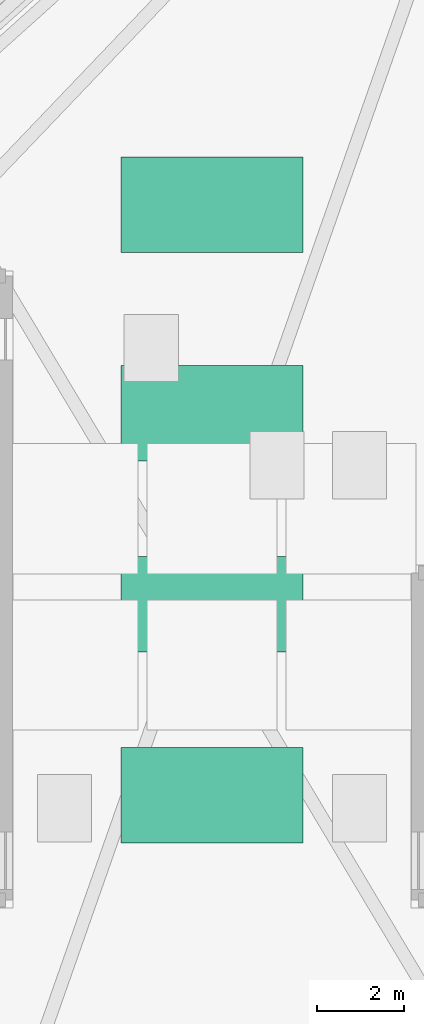
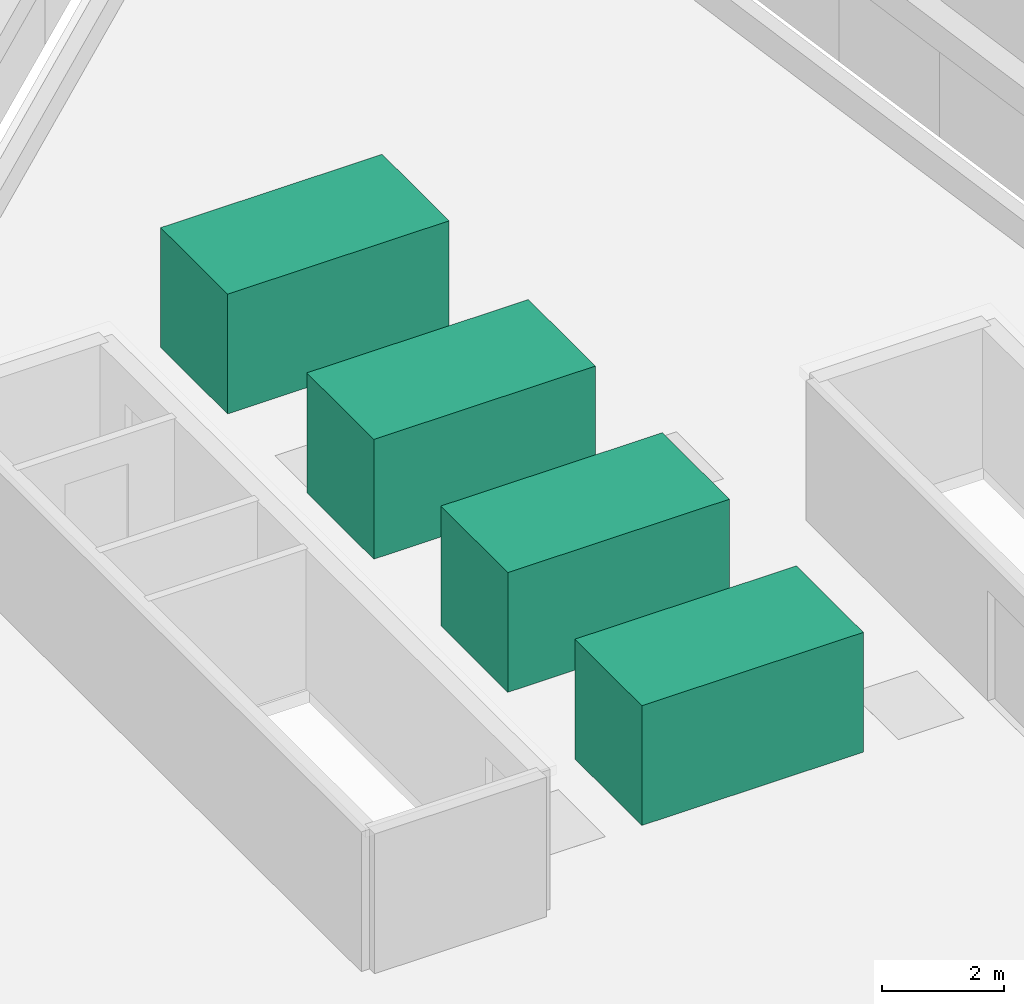
# One storey, part 9 of 9: 4 unitary equipment elements.
"""IFC4 building model written with IfcOpenShell, lengths in metres."""

import ifcopenshell
import ifcopenshell.guid

model = None  # the IFC model being written
_history = None  # IfcOwnerHistory: only IFC2X3 demands one
_inside = {}  # id of a spatial element -> (the spatial element, [elements in it])
_under = {}  # id of a project, library or spatial element -> (it, [spatial elements below it])
_declared = {}  # id of a project -> (the project, [libraries it declares])
_typed = {}  # id of a type object -> (the type object, [elements of that type])
_made_of = {}  # id of a material, layer set ... -> (it, [elements and type objects made of it])


def new_model(schema):
    """Start an empty IFC model of exactly this schema.

    Asked for "IFC4X3", IfcOpenShell would pick the latest addendum, in which some entities
    have other attributes; the version numbers below select the first issue.
    IFC2X3 requires an IfcOwnerHistory on every rooted entity: one is made here for all.
    """
    global model, _history
    if schema == "IFC4X3":
        model = ifcopenshell.file(schema_version=(4, 3, 0, 0))
    else:
        model = ifcopenshell.file(schema=schema)
    _inside.clear()
    _under.clear()
    _declared.clear()
    _typed.clear()
    _made_of.clear()
    _history = None
    if model.schema == "IFC2X3":
        org = make("IfcOrganization", Name="unknown")
        user = make(
            "IfcPersonAndOrganization",
            ThePerson=make("IfcPerson", FamilyName="unknown"),
            TheOrganization=org,
        )
        app = make(
            "IfcApplication",
            ApplicationDeveloper=org,
            Version="unknown",
            ApplicationFullName="unknown",
            ApplicationIdentifier="unknown",
        )
        _history = make(
            "IfcOwnerHistory",
            OwningUser=user,
            OwningApplication=app,
            ChangeAction="ADDED",
            CreationDate=0,
        )
    return model


def make(cls, **values):
    """One entity of the class cls with the attributes given. An attribute that is None is left unset."""
    return model.create_entity(
        cls, **{name: value for name, value in values.items() if value is not None}
    )


def rooted(cls, **values):
    """An entity with a GlobalId (a new one), such as an element, a storey or a relation."""
    return make(cls, GlobalId=ifcopenshell.guid.new(), OwnerHistory=_history, **values)


def si_unit(unit_type, name, prefix=None):
    """IfcSIUnit, for example si_unit("LENGTHUNIT", "METRE", prefix="MILLI")."""
    return make("IfcSIUnit", UnitType=unit_type, Prefix=prefix, Name=name)


def assignment(units):
    """IfcUnitAssignment: the units of a project."""
    return None if units is None else make("IfcUnitAssignment", Units=units)


def point(xyz):
    """IfcCartesianPoint."""
    return None if xyz is None else make("IfcCartesianPoint", Coordinates=xyz)


def direction(xyz):
    """IfcDirection."""
    return None if xyz is None else make("IfcDirection", DirectionRatios=xyz)


def frame(location, z_axis=None, x_axis=None):
    """IfcAxis2Placement3D, a coordinate frame: its origin and axes. An axis left out is left unset."""
    return make(
        "IfcAxis2Placement3D",
        Location=point(location),
        Axis=direction(z_axis),
        RefDirection=direction(x_axis),
    )


def frame_2d(location, x_axis=None):
    """IfcAxis2Placement2D, a coordinate frame in the plane: its origin and x axis."""
    return make(
        "IfcAxis2Placement2D", Location=point(location), RefDirection=direction(x_axis)
    )


def origin():
    """The frame at (0, 0, 0) with its axes left unset."""
    return frame((0.0, 0.0, 0.0))


def origin_2d():
    """The frame at (0, 0) in the plane with its x axis left unset."""
    return frame_2d((0.0, 0.0))


def place(relative_to, where):
    """IfcLocalPlacement: puts the frame where relative to a parent placement (None: the world)."""
    return make(
        "IfcLocalPlacement", PlacementRelTo=relative_to, RelativePlacement=where
    )


def context(
    kind, dimensions, precision=None, world=None, true_north=None, identifier=None
):
    """IfcGeometricRepresentationContext, for example the 3D "Model" context."""
    return make(
        "IfcGeometricRepresentationContext",
        ContextIdentifier=identifier,
        ContextType=kind,
        CoordinateSpaceDimension=dimensions,
        Precision=precision,
        WorldCoordinateSystem=world,
        TrueNorth=true_north,
    )


def subcontext(parent, identifier, kind, view, scale=None):
    """IfcGeometricRepresentationSubContext, for example "Body" below "Model"."""
    return make(
        "IfcGeometricRepresentationSubContext",
        ContextIdentifier=identifier,
        ContextType=kind,
        ParentContext=parent,
        TargetScale=scale,
        TargetView=view,
    )


def project(units=None, contexts=None):
    """IfcProject with its units and contexts."""
    return rooted(
        "IfcProject",
        Name="project",
        RepresentationContexts=contexts,
        UnitsInContext=assignment(units),
    )


def spatial(cls, under=None, at=None, **own):
    """A site, building, storey or space (cls), placed at a placement, below another one or the project."""
    s = rooted(cls, ObjectPlacement=at, **own)
    if under is not None:
        _under.setdefault(under.id(), (under, []))[1].append(s)
    return s


def profile(cls, at=None, kind="AREA", **sizes):
    """A parametric profile (cls). Its sizes go by their IFC names, for example OverallWidth=200.0."""
    return make(cls, ProfileType=kind, Position=at, **sizes)


def rectangle(**sizes):
    """IfcRectangleProfileDef."""
    return profile("IfcRectangleProfileDef", **sizes)


def extrude(swept, where, along, depth):
    """IfcExtrudedAreaSolid: the profile swept, set in the frame where, extruded along a direction by depth."""
    return make(
        "IfcExtrudedAreaSolid",
        SweptArea=swept,
        Position=where,
        ExtrudedDirection=direction(along),
        Depth=depth,
    )


def shape(context_of_items, identifier, shape_type, items):
    """IfcShapeRepresentation: the items that make up one representation, for example the "Body"."""
    return make(
        "IfcShapeRepresentation",
        ContextOfItems=context_of_items,
        RepresentationIdentifier=identifier,
        RepresentationType=shape_type,
        Items=items,
    )


def source(mapping_origin, context_of_items, identifier, shape_type, items):
    """IfcRepresentationMap: a shape defined once, which mapped items show again and again."""
    return make(
        "IfcRepresentationMap",
        MappingOrigin=mapping_origin,
        MappedRepresentation=shape(context_of_items, identifier, shape_type, items),
    )


def transform(
    local_origin,
    x_axis=None,
    y_axis=None,
    z_axis=None,
    scale=None,
    scale2=None,
    scale3=None,
    uniform=True,
):
    """IfcCartesianTransformationOperator3D, or its non-uniform kind. x_axis, y_axis, z_axis: its Axis1, 2, 3."""
    if uniform:
        return make(
            "IfcCartesianTransformationOperator3D",
            Axis1=direction(x_axis),
            Axis2=direction(y_axis),
            LocalOrigin=point(local_origin),
            Scale=scale,
            Axis3=direction(z_axis),
        )
    return make(
        "IfcCartesianTransformationOperator3DnonUniform",
        Axis1=direction(x_axis),
        Axis2=direction(y_axis),
        LocalOrigin=point(local_origin),
        Scale=scale,
        Axis3=direction(z_axis),
        Scale2=scale2,
        Scale3=scale3,
    )


def mapped(mapping_source, mapping_target):
    """IfcMappedItem: shows the shape of a source again, moved by a transform."""
    return make(
        "IfcMappedItem", MappingSource=mapping_source, MappingTarget=mapping_target
    )


def material(Name=None, Category=None):
    """IfcMaterial."""
    return make("IfcMaterial", Name=Name, Category=Category)


def made_of(thing, what):
    """Note that an element or type object is made of a material, layer set ...; save() writes the relation."""
    if what is not None:
        _made_of.setdefault(what.id(), (what, []))[1].append(thing)
    return thing


def type_object(cls, material=None, **own):
    """A type object (cls), such as IfcWallType, which elements share."""
    return made_of(rooted(cls, **own), material)


def element(
    cls,
    number,
    at=None,
    inside=None,
    cuts=None,
    type_object=None,
    material=None,
    context=None,
    identifier="Body",
    shape_type=None,
    held_by="IfcProductDefinitionShape",
    body=None,
    shapes=None,
    **own,
):
    """One element of the class cls, such as IfcWall. Its Tag is "e" and its number.

    at: its placement. inside: the storey or other place that contains it. cuts: it is an
    opening in that element (IfcRelVoidsElement). A single representation is given by context,
    identifier, shape_type and body (its items); several are given by shapes. held_by: the class
    of the entity that holds the representations. save() writes the other relations.
    """
    e = rooted(cls, Tag="e%d" % number, ObjectPlacement=at, **own)
    if body is not None:
        shapes = [shape(context, identifier, shape_type, body)]
    if shapes is not None:
        e.Representation = make(held_by, Representations=shapes)
    if inside is not None:
        _inside.setdefault(inside.id(), (inside, []))[1].append(e)
    if cuts is not None:
        rooted(
            "IfcRelVoidsElement", RelatingBuildingElement=cuts, RelatedOpeningElement=e
        )
    if type_object is not None:
        _typed.setdefault(type_object.id(), (type_object, []))[1].append(e)
    return made_of(e, material)


def aggregate(whole, parts):
    """IfcRelAggregates: a whole, such as a stair, and the parts it consists of."""
    return rooted("IfcRelAggregates", RelatingObject=whole, RelatedObjects=parts)


def save(model, path):
    """Write the relations noted so far, then the file.

    IfcRelAggregates (storeys below a building ...), IfcRelContainedInSpatialStructure (elements
    in a storey), IfcRelDefinesByType, IfcRelAssociatesMaterial and IfcRelDeclares: one each for
    every whole, place, type object, material and project.
    """
    for whole, parts in _under.values():
        aggregate(whole, parts)
    for where, things in _inside.values():
        rooted(
            "IfcRelContainedInSpatialStructure",
            RelatedElements=things,
            RelatingStructure=where,
        )
    for kind, things in _typed.values():
        rooted("IfcRelDefinesByType", RelatedObjects=things, RelatingType=kind)
    for what, things in _made_of.values():
        rooted("IfcRelAssociatesMaterial", RelatedObjects=things, RelatingMaterial=what)
    for by, libraries in _declared.values():
        rooted("IfcRelDeclares", RelatingContext=by, RelatedDefinitions=libraries)
    model.write(path)


model = new_model("IFC4")

# Units and contexts
model_context = context("Model", 3, precision=1e-05, world=origin(), true_north=direction((0.0, 1.0)))
body_context = subcontext(model_context, "Body", "Model", "MODEL_VIEW")
ifc_project = project(units=[si_unit("LENGTHUNIT", "METRE"), si_unit("AREAUNIT", "SQUARE_METRE"), si_unit("VOLUMEUNIT", "CUBIC_METRE"), si_unit("PLANEANGLEUNIT", "RADIAN"), si_unit("MASSUNIT", "GRAM", prefix="KILO")], contexts=[model_context])

# Site, building, storey
site_placement = place(None, origin())
site = spatial("IfcSite", under=ifc_project, at=site_placement, CompositionType="ELEMENT")
building_placement = place(site_placement, origin())
building = spatial("IfcBuilding", under=site, at=building_placement, Name="Olszyna Solenne Hotel", CompositionType="ELEMENT")
storey_placement = place(building_placement, frame((0.0, 0.0, 295.0)))
storey = spatial("IfcBuildingStorey", under=building, at=storey_placement, Name="Roof Crown", CompositionType="ELEMENT", Elevation=295.0)

# Unitary equipment
ifc_material = material(Name="Steel S355J2", Category="steel")
unitary_equipment_type = type_object("IfcUnitaryEquipmentType", Name="EQ-CH1", PredefinedType="AIRHANDLER", material=ifc_material)
shared_shape = source(origin(), body_context, "Body", "SweptSolid", [
    extrude(rectangle(XDim=4.199951171875, YDim=2.199951171875, at=origin_2d()), origin(), (0.0, 0.0, 1.0), 2.39990234375),
])
for number, where, z_axis, x_axis, name in (
    (1, (38.0, 21.800048828125, 0.0), (0.0, 0.0, 1.0), (1.0, 0.0, 0.0), "Crown heat-recovery chiller unit CH-CRN-01"),
    (2, (38.0, 26.199951171875, 0.0), (0.0, 0.0, 1.0), (1.0, 0.0, 0.0), "Crown heat-recovery chiller unit CH-CRN-02"),
    (3, (38.0, 30.60009765625, 0.0), (0.0, 0.0, 1.0), (1.0, 0.0, 0.0), "Crown heat-recovery chiller unit CH-CRN-03"),
    (4, (38.0, 35.39990234375, 0.0), (0.0, 0.0, 1.0), (1.0, 0.0, 0.0), "Crown heat-recovery chiller unit CH-CRN-04"),
):
    element("IfcUnitaryEquipment", number, at=place(storey_placement, frame(where, z_axis=z_axis, x_axis=x_axis)), inside=storey, type_object=unitary_equipment_type, Name=name, PredefinedType="AIRHANDLER", context=body_context, shape_type="MappedRepresentation", body=[
        mapped(shared_shape, transform((0.0, 0.0, 0.0), x_axis=(1.0, 0.0, 0.0), y_axis=(0.0, 1.0, 0.0), z_axis=(0.0, 0.0, 1.0), scale=1.0)),
    ])

save(model, "model.ifc")
